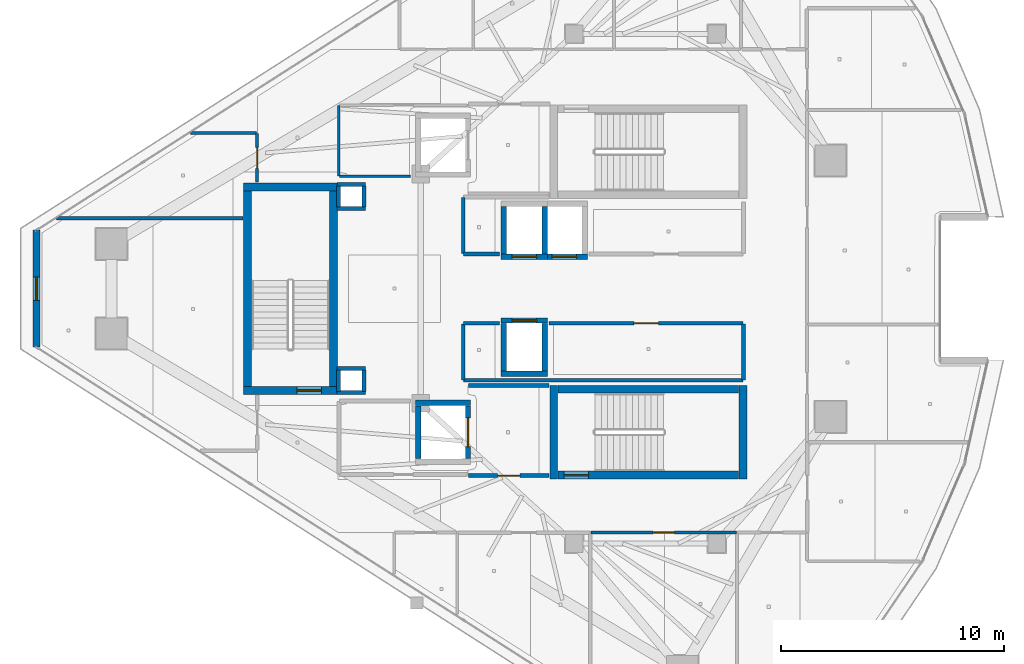
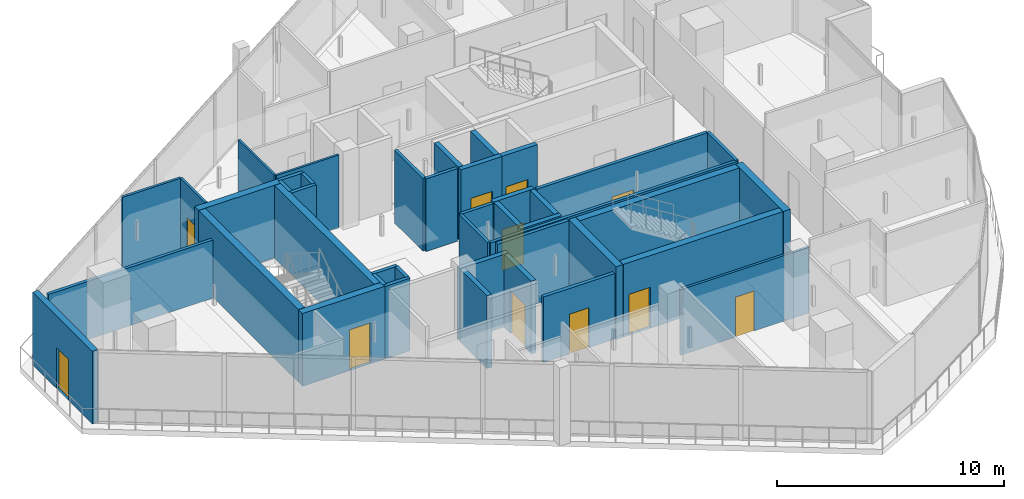
# One storey, part 16 of 24: 43 walls, 11 doors, 11 openings.
"""IFC4 building model written with IfcOpenShell, lengths in metres."""

from ifc_helpers import new_model, si_unit, direction, frame, frame_2d, origin, place, context, subcontext, project, spatial, rectangle, extrude, material, layer, layer_set, type_object, element, fill, save


model = new_model("IFC4")

# Units and contexts
model_context = context("Model", 3, precision=1e-05, world=origin(), true_north=direction((0.0, 1.0)))
body_context = subcontext(model_context, "Body", "Model", "MODEL_VIEW")
ifc_project = project(units=[si_unit("LENGTHUNIT", "METRE"), si_unit("AREAUNIT", "SQUARE_METRE"), si_unit("VOLUMEUNIT", "CUBIC_METRE"), si_unit("PLANEANGLEUNIT", "RADIAN"), si_unit("MASSUNIT", "GRAM", prefix="KILO")], contexts=[model_context])

# Site, building, storey
site_placement = place(None, origin())
site = spatial("IfcSite", under=ifc_project, at=site_placement, CompositionType="ELEMENT")
building_placement = place(site_placement, origin())
building = spatial("IfcBuilding", under=site, at=building_placement, Name="Qorvath Tower", CompositionType="ELEMENT")
storey_placement = place(building_placement, frame((0.0, 0.0, 318.60009765625)))
storey = spatial("IfcBuildingStorey", under=building, at=storey_placement, Name="L74", CompositionType="ELEMENT", Elevation=318.60009765625)

# Walls
ifc_material_1 = material(Name="Gypsum shaftliner on steel studs", Category="steel")
ifc_layer_1 = layer(ifc_material_1, 0.179931640625)
ifc_layer_set_1 = layer_set([ifc_layer_1], Name="FW-LOBBY")
wall_type_1 = type_object("IfcWallType", Name="FW-LOBBY", PredefinedType="PARTITIONING", material=ifc_layer_set_1)
for number, where, z_axis, x_axis, name in (
    (1, (-32.989990234375, 3.594970703125, 0.0), (0.0, 0.0, 1.0), (-1.0, 0.0, 0.0), "MEP Riser Shaft Enclosure Wall N-L74-S"),
    (2, (-34.260009765625, 4.675048828125, 0.0), (0.0, 0.0, 1.0), (1.0, 0.0, 0.0), "MEP Riser Shaft Enclosure Wall N-L74-N"),
):
    element("IfcWall", number, at=place(storey_placement, frame(where, z_axis=z_axis, x_axis=x_axis)), inside=storey, type_object=wall_type_1, Name=name, PredefinedType="PARTITIONING", context=body_context, shape_type="SweptSolid", body=[
        extrude(rectangle(XDim=1.27001953125, YDim=0.179931640625, at=frame_2d((0.635009765625, 0.0))), origin(), (0.0, 0.0, 1.0), 3.909912109375),
    ])
for number, where, z_axis, x_axis, name in (
    (3, (-34.205078125, 3.659912109375, 0.0), (0.0, 0.0, 1.0), (0.0, 1.0, 0.0), "MEP Riser Shaft Enclosure Wall N-L74-W"),
    (4, (-33.044921875, 4.610107421875, 0.0), (0.0, 0.0, 1.0), (0.0, -1.0, 0.0), "MEP Riser Shaft Enclosure Wall N-L74-E"),
):
    element("IfcWall", number, at=place(storey_placement, frame(where, z_axis=z_axis, x_axis=x_axis)), inside=storey, type_object=wall_type_1, Name=name, PredefinedType="PARTITIONING", context=body_context, shape_type="SweptSolid", body=[
        extrude(rectangle(XDim=0.9501953125, YDim=0.179931640625, at=frame_2d((0.47509765625, 0.0))), origin(), (0.0, 0.0, 1.0), 3.909912109375),
    ])
for number, where, z_axis, x_axis, name in (
    (5, (-32.989990234375, -4.675048828125, 0.0), (0.0, 0.0, 1.0), (-1.0, 0.0, 0.0), "MEP Riser Shaft Enclosure Wall S-L74-S"),
    (6, (-34.260009765625, -3.594970703125, 0.0), (0.0, 0.0, 1.0), (1.0, 0.0, 0.0), "MEP Riser Shaft Enclosure Wall S-L74-N"),
):
    element("IfcWall", number, at=place(storey_placement, frame(where, z_axis=z_axis, x_axis=x_axis)), inside=storey, type_object=wall_type_1, Name=name, PredefinedType="PARTITIONING", context=body_context, shape_type="SweptSolid", body=[
        extrude(rectangle(XDim=1.27001953125, YDim=0.179931640625, at=frame_2d((0.635009765625, 0.0))), origin(), (0.0, 0.0, 1.0), 3.909912109375),
    ])
for number, where, z_axis, x_axis, name in (
    (7, (-34.205078125, -4.610107421875, 0.0), (0.0, 0.0, 1.0), (0.0, 1.0, 0.0), "MEP Riser Shaft Enclosure Wall S-L74-W"),
    (8, (-33.044921875, -3.659912109375, 0.0), (0.0, 0.0, 1.0), (0.0, -1.0, 0.0), "MEP Riser Shaft Enclosure Wall S-L74-E"),
):
    element("IfcWall", number, at=place(storey_placement, frame(where, z_axis=z_axis, x_axis=x_axis)), inside=storey, type_object=wall_type_1, Name=name, PredefinedType="PARTITIONING", context=body_context, shape_type="SweptSolid", body=[
        extrude(rectangle(XDim=0.9501953125, YDim=0.179931640625, at=frame_2d((0.47509765625, 0.0))), origin(), (0.0, 0.0, 1.0), 3.909912109375),
    ])

# Wall, opening, door
wall_1_placement = place(storey_placement, frame((-28.35498046875, -8.39990234375, 0.0), z_axis=(0.0, 0.0, 1.0), x_axis=(1.0, 0.0, 0.0)))
wall_1 = element("IfcWall", 9, at=wall_1_placement, inside=storey, type_object=wall_type_1, Name="Interior Partition IW-T1-L74-003", PredefinedType="PARTITIONING", context=body_context, shape_type="SweptSolid", body=[
    extrude(rectangle(XDim=3.6220703125, YDim=0.179931640625, at=frame_2d((1.81103515625, 0.0))), origin(), (0.0, 0.0, 1.0), 3.52880859375),
])
opening_1_placement = place(wall_1_placement, frame((1.31103515625, 0.0, 0.0)))
opening_1 = element("IfcOpeningElement", 10, at=opening_1_placement, cuts=wall_1, Name="Opening D-T1-L74-02", PredefinedType="OPENING", context=body_context, shape_type="SweptSolid", body=[
    extrude(rectangle(XDim=1.0, YDim=2.14990234375, at=frame_2d((0.5, 1.074951171875))), frame((0.0, 0.10009765625, 0.0), z_axis=(0.0, -1.0, 0.0), x_axis=(1.0, 0.0, 0.0)), (0.0, 0.0, 1.0), 0.199951171875),
])
ifc_material_2 = material(Name="Painted galvanised hollow metal", Category="steel")
door_type_1 = type_object("IfcDoorType", Name="FD-60", OperationType="NOTDEFINED", PredefinedType="DOOR", material=ifc_material_2)
door_1_placement = place(opening_1_placement, origin())
door_1 = element("IfcDoor", 11, at=door_1_placement, inside=storey, type_object=door_type_1, Name="Lobby Fire Service Elevator South Door D-T1-L74-02", OperationType="SINGLE_SWING_RIGHT", OverallHeight=2.14990234375, OverallWidth=1.0, PredefinedType="DOOR", context=body_context, shape_type="SweptSolid", body=[
    extrude(rectangle(XDim=1.0, YDim=2.14990234375, at=frame_2d((0.5, 1.074951171875))), frame((0.0, 0.02490234375, 0.0), z_axis=(0.0, -1.0, 0.0), x_axis=(1.0, 0.0, 0.0)), (0.0, 0.0, 1.0), 0.050048828125),
])
fill(opening_1, door_1)

# Walls
wall_2_placement = place(storey_placement, frame((-24.73291015625, -4.35009765625, 0.0), z_axis=(0.0, 0.0, 1.0), x_axis=(-1.0, 0.0, 0.0)))
element("IfcWall", 12, at=wall_2_placement, inside=storey, type_object=wall_type_1, Name="Interior Partition IW-T1-L74-004", PredefinedType="PARTITIONING", context=body_context, shape_type="SweptSolid", body=[
    extrude(rectangle(XDim=3.6220703125, YDim=0.179931640625, at=frame_2d((1.81103515625, 0.0))), origin(), (0.0, 0.0, 1.0), 3.909912109375),
])
ifc_material_3 = material(Name="Double acoustic gypsum board on steel studs", Category="steel")
ifc_layer_2 = layer(ifc_material_3, 0.159912109375)
ifc_layer_set_2 = layer_set([ifc_layer_2], Name="IW-ACOUSTIC-160")
wall_type_2 = type_object("IfcWallType", Name="IW-ACOUSTIC-160", PredefinedType="PARTITIONING", material=ifc_layer_set_2)
wall_3_placement = place(storey_placement, frame((-28.60009765625, 4.09521484375, 0.0), z_axis=(0.0, 0.0, 1.0), x_axis=(0.0, -1.0, 0.0)))
element("IfcWall", 13, at=wall_3_placement, inside=storey, type_object=wall_type_2, Name="Interior Partition IW-T1-L74-008", PredefinedType="PARTITIONING", context=body_context, shape_type="SweptSolid", body=[
    extrude(rectangle(XDim=2.510009765625, YDim=0.159912109375, at=frame_2d((1.2548828125, 0.0))), origin(), (0.0, 0.0, 1.0), 3.909912109375),
])
wall_4_placement = place(storey_placement, frame((-28.5751953125, 1.56005859375, 0.0), z_axis=(0.0, 0.0, 1.0), x_axis=(1.0, 0.0, 0.0)))
element("IfcWall", 14, at=wall_4_placement, inside=storey, type_object=wall_type_2, Name="Interior Partition IW-T1-L74-009", PredefinedType="PARTITIONING", context=body_context, shape_type="SweptSolid", body=[
    extrude(rectangle(XDim=1.609130859375, YDim=0.159912109375, at=frame_2d((0.8046875, 0.0))), origin(), (0.0, 0.0, 1.0), 3.909912109375),
])
wall_5_placement = place(storey_placement, frame((-28.60009765625, -1.585205078125, 0.0), z_axis=(0.0, 0.0, 1.0), x_axis=(0.0, -1.0, 0.0)))
element("IfcWall", 15, at=wall_5_placement, inside=storey, type_object=wall_type_2, Name="Interior Partition IW-T1-L74-013", PredefinedType="PARTITIONING", context=body_context, shape_type="SweptSolid", body=[
    extrude(rectangle(XDim=2.510009765625, YDim=0.159912109375, at=frame_2d((1.2548828125, 0.0))), origin(), (0.0, 0.0, 1.0), 3.909912109375),
])
wall_6_placement = place(storey_placement, frame((-28.5751953125, -4.1201171875, 0.0), z_axis=(0.0, 0.0, 1.0), x_axis=(1.0, 0.0, 0.0)))
element("IfcWall", 16, at=wall_6_placement, inside=storey, type_object=wall_type_2, Name="Interior Partition IW-T1-L74-014", PredefinedType="PARTITIONING", context=body_context, shape_type="SweptSolid", body=[
    extrude(rectangle(XDim=12.55029296875, YDim=0.159912109375, at=frame_2d((6.275146484375, 0.0))), origin(), (0.0, 0.0, 1.0), 3.909912109375),
])
wall_7_placement = place(storey_placement, frame((-16.0, -4.09521484375, 0.0), z_axis=(0.0, 0.0, 1.0), x_axis=(0.0, 1.0, 0.0)))
element("IfcWall", 17, at=wall_7_placement, inside=storey, type_object=wall_type_2, Name="Interior Partition IW-T1-L74-015", PredefinedType="PARTITIONING", context=body_context, shape_type="SweptSolid", body=[
    extrude(rectangle(XDim=2.510009765625, YDim=0.159912109375, at=frame_2d((1.2548828125, 0.0))), origin(), (0.0, 0.0, 1.0), 3.909912109375),
])

# Wall, opening, door
wall_8_placement = place(storey_placement, frame((-16.02490234375, -1.56005859375, 0.0), z_axis=(0.0, 0.0, 1.0), x_axis=(-1.0, 0.0, 0.0)))
wall_8 = element("IfcWall", 18, at=wall_8_placement, inside=storey, type_object=wall_type_2, Name="Interior Partition IW-T1-L74-016", PredefinedType="PARTITIONING", context=body_context, shape_type="SweptSolid", body=[
    extrude(rectangle(XDim=8.708984375, YDim=0.159912109375, at=frame_2d((4.3544921875, 0.0))), origin(), (0.0, 0.0, 1.0), 3.909912109375),
])
opening_2_placement = place(wall_8_placement, frame((3.804443359375, 0.0, 0.0)))
opening_2 = element("IfcOpeningElement", 19, at=opening_2_placement, cuts=wall_8, Name="Opening D-T1-L74-05", PredefinedType="OPENING", context=body_context, shape_type="SweptSolid", body=[
    extrude(rectangle(XDim=1.10009765625, YDim=2.14990234375, at=frame_2d((0.550048828125, 1.074951171875))), frame((0.0, 0.08984375, 0.0), z_axis=(0.0, -1.0, 0.0), x_axis=(1.0, 0.0, 0.0)), (0.0, 0.0, 1.0), 0.179931640625),
])
ifc_material_4 = material(Name="Anodised aluminium acoustic framed glass", Category="aluminium")
door_type_2 = type_object("IfcDoorType", Name="D-03", OperationType="NOTDEFINED", PredefinedType="DOOR", material=ifc_material_4)
door_2_placement = place(opening_2_placement, origin())
door_2 = element("IfcDoor", 20, at=door_2_placement, inside=storey, type_object=door_type_2, Name="L74-RCS South Executive Boardroom Door D-T1-L74-05", OperationType="SINGLE_SWING_LEFT", OverallHeight=2.14990234375, OverallWidth=1.10009765625, PredefinedType="DOOR", context=body_context, shape_type="SweptSolid", body=[
    extrude(rectangle(XDim=1.10009765625, YDim=2.14990234375, at=frame_2d((0.550048828125, 1.074951171875))), frame((0.0, 0.02490234375, 0.0), z_axis=(0.0, -1.0, 0.0), x_axis=(1.0, 0.0, 0.0)), (0.0, 0.0, 1.0), 0.050048828125),
])
fill(opening_2, door_2)

# Walls
wall_9_placement = place(storey_placement, frame((-26.966064453125, -1.56005859375, 0.0), z_axis=(0.0, 0.0, 1.0), x_axis=(-1.0, 0.0, 0.0)))
element("IfcWall", 21, at=wall_9_placement, inside=storey, type_object=wall_type_2, Name="Interior Partition IW-T1-L74-017", PredefinedType="PARTITIONING", context=body_context, shape_type="SweptSolid", body=[
    extrude(rectangle(XDim=1.609130859375, YDim=0.159912109375, at=frame_2d((0.8046875, 0.0))), origin(), (0.0, 0.0, 1.0), 3.909912109375),
])
wall_10_placement = place(storey_placement, frame((-38.492919921875, 3.15771484375, 0.0), z_axis=(0.0, 0.0, 1.0), x_axis=(-1.0, 0.0, 0.0)))
element("IfcWall", 22, at=wall_10_placement, inside=storey, type_object=wall_type_2, Name="Interior Partition IW-T1-L74-049", PredefinedType="PARTITIONING", context=body_context, shape_type="SweptSolid", body=[
    extrude(rectangle(XDim=8.367431640625, YDim=0.159912109375, at=frame_2d((4.18359375, 0.0))), origin(), (0.0, 0.0, 1.0), 3.1298828125),
])

# Wall, opening, door
ifc_material_5 = material(Name="Gypsum board on metal studs with mineral wool", Category="gypsum")
ifc_layer_3 = layer(ifc_material_5, 0.125)
ifc_layer_set_3 = layer_set([ifc_layer_3], Name="IW-PART-125")
wall_type_3 = type_object("IfcWallType", Name="IW-PART-125", PredefinedType="PARTITIONING", material=ifc_layer_set_3)
wall_11_placement = place(storey_placement, frame((-16.321533203125, -10.9580078125, 0.0), z_axis=(0.0, 0.0, 1.0), x_axis=(-1.0, 0.0, 0.0)))
wall_11 = element("IfcWall", 23, at=wall_11_placement, inside=storey, type_object=wall_type_3, Name="Interior Partition IW-T1-L74-036", PredefinedType="PARTITIONING", context=body_context, shape_type="SweptSolid", body=[
    extrude(rectangle(XDim=6.5224609375, YDim=0.125, at=frame_2d((3.26123046875, 0.0))), origin(), (0.0, 0.0, 1.0), 3.52880859375),
])
opening_3_placement = place(wall_11_placement, frame((2.7861328125, 0.0, 0.0)))
opening_3 = element("IfcOpeningElement", 24, at=opening_3_placement, cuts=wall_11, Name="Opening D-T1-L74-13", PredefinedType="OPENING", context=body_context, shape_type="SweptSolid", body=[
    extrude(rectangle(XDim=0.949951171875, YDim=2.14990234375, at=frame_2d((0.47509765625, 1.074951171875))), frame((0.0, 0.072509765625, 0.0), z_axis=(0.0, -1.0, 0.0), x_axis=(1.0, 0.0, 0.0)), (0.0, 0.0, 1.0), 0.14501953125),
])
ifc_material_6 = material(Name="Solid-core American white oak veneer", Category="wood")
door_type_3 = type_object("IfcDoorType", Name="D-01", OperationType="NOTDEFINED", PredefinedType="DOOR", material=ifc_material_6)
door_3_placement = place(opening_3_placement, origin())
door_3 = element("IfcDoor", 25, at=door_3_placement, inside=storey, type_object=door_type_3, Name="L74-07 Open Workplace Studio Door D-T1-L74-13", OperationType="SINGLE_SWING_LEFT", OverallHeight=2.14990234375, OverallWidth=0.949951171875, PredefinedType="DOOR", context=body_context, shape_type="SweptSolid", body=[
    extrude(rectangle(XDim=0.949951171875, YDim=2.14990234375, at=frame_2d((0.47509765625, 1.074951171875))), frame((0.0, 0.02490234375, 0.0), z_axis=(0.0, -1.0, 0.0), x_axis=(1.0, 0.0, 0.0)), (0.0, 0.0, 1.0), 0.050048828125),
])
fill(opening_3, door_3)

wall_12_placement = place(storey_placement, frame((-37.85791015625, 4.783203125, 0.0), z_axis=(0.0, 0.0, 1.0), x_axis=(0.0, 1.0, 0.0)))
wall_12 = element("IfcWall", 26, at=wall_12_placement, inside=storey, type_object=wall_type_3, Name="Interior Partition IW-T1-L74-051", PredefinedType="PARTITIONING", context=body_context, shape_type="SweptSolid", body=[
    extrude(rectangle(XDim=2.187255859375, YDim=0.125, at=frame_2d((1.09375, 0.0))), origin(), (0.0, 0.0, 1.0), 3.909912109375),
])
opening_4_placement = place(wall_12_placement, frame((0.61865234375, 0.0, 0.0)))
opening_4 = element("IfcOpeningElement", 27, at=opening_4_placement, cuts=wall_12, Name="Opening D-T1-L74-20", PredefinedType="OPENING", context=body_context, shape_type="SweptSolid", body=[
    extrude(rectangle(XDim=0.949951171875, YDim=2.14990234375, at=frame_2d((0.47509765625, 1.074951171875))), frame((0.0, 0.072509765625, 0.0), z_axis=(0.0, -1.0, 0.0), x_axis=(1.0, 0.0, 0.0)), (0.0, 0.0, 1.0), 0.14501953125),
])
door_4_placement = place(opening_4_placement, origin())
door_4 = element("IfcDoor", 28, at=door_4_placement, inside=storey, type_object=door_type_3, Name="L74-14 Engineering Documentation Suite Door D-T1-L74-20", OperationType="SINGLE_SWING_RIGHT", OverallHeight=2.14990234375, OverallWidth=0.949951171875, PredefinedType="DOOR", context=body_context, shape_type="SweptSolid", body=[
    extrude(rectangle(XDim=0.949951171875, YDim=2.14990234375, at=frame_2d((0.47509765625, 1.074951171875))), frame((0.0, 0.02490234375, 0.0), z_axis=(0.0, -1.0, 0.0), x_axis=(1.0, 0.0, 0.0)), (0.0, 0.0, 1.0), 0.050048828125),
])
fill(opening_4, door_4)

# Walls
wall_13_placement = place(storey_placement, frame((-37.8828125, 6.995361328125, 0.0), z_axis=(0.0, 0.0, 1.0), x_axis=(-1.0, 0.0, 0.0)))
element("IfcWall", 29, at=wall_13_placement, inside=storey, type_object=wall_type_3, Name="Interior Partition IW-T1-L74-052", PredefinedType="PARTITIONING", context=body_context, shape_type="SweptSolid", body=[
    extrude(rectangle(XDim=2.972900390625, YDim=0.125, at=frame_2d((1.486328125, 0.0))), origin(), (0.0, 0.0, 1.0), 3.909912109375),
])
ifc_material_7 = material(Name="Moisture-resistant cement board on metal studs", Category="gypsum")
ifc_layer_4 = layer(ifc_material_7, 0.110107421875)
ifc_layer_set_4 = layer_set([ifc_layer_4], Name="IW-WC-110")
wall_type_4 = type_object("IfcWallType", Name="IW-WC-110", PredefinedType="PARTITIONING", material=ifc_layer_set_4)
wall_14_placement = place(storey_placement, frame((-34.179931640625, 8.22509765625, 0.0), z_axis=(0.0, 0.0, 1.0), x_axis=(0.0, -1.0, 0.0)))
element("IfcWall", 30, at=wall_14_placement, inside=storey, type_object=wall_type_4, Name="Interior Partition IW-T1-L74-005", PredefinedType="PARTITIONING", context=body_context, shape_type="SweptSolid", body=[
    extrude(rectangle(XDim=3.150146484375, YDim=0.110107421875, at=frame_2d((1.5751953125, 0.0))), origin(), (0.0, 0.0, 1.0), 3.909912109375),
])
wall_15_placement = place(storey_placement, frame((-34.15478515625, 5.050048828125, 0.0), z_axis=(0.0, 0.0, 1.0), x_axis=(1.0, 0.0, 0.0)))
element("IfcWall", 31, at=wall_15_placement, inside=storey, type_object=wall_type_4, Name="Interior Partition IW-T1-L74-006", PredefinedType="PARTITIONING", context=body_context, shape_type="SweptSolid", body=[
    extrude(rectangle(XDim=3.189697265625, YDim=0.110107421875, at=frame_2d((1.5947265625, 0.0))), origin(), (0.0, 0.0, 1.0), 3.909912109375),
])
ifc_material_8 = material(Name="Concrete C60/75", Category="concrete")
ifc_layer_5 = layer(ifc_material_8, 0.260009765625)
ifc_layer_set_5 = layer_set([ifc_layer_5], Name="SW-SHAFT")
wall_type_5 = type_object("IfcWallType", Name="SW-SHAFT", PredefinedType="SHEAR", material=ifc_layer_set_5)
wall_16_placement = place(storey_placement, frame((-30.739990234375, -5.1298828125, 0.0), z_axis=(0.0, 0.0, 1.0), x_axis=(1.0, 0.0, 0.0)))
element("IfcWall", 32, at=wall_16_placement, inside=storey, type_object=wall_type_5, Name="Hoistway Wall FSAE-2 L74 N", PredefinedType="SHEAR", context=body_context, shape_type="SweptSolid", body=[
    extrude(rectangle(XDim=2.47998046875, YDim=0.239990234375, at=frame_2d((1.239990234375, 0.0))), origin(), (0.0, 0.0, 1.0), 3.909912109375),
])
wall_17_placement = place(storey_placement, frame((-30.6201171875, -7.637939453125, 0.0), z_axis=(0.0, 0.0, 1.0), x_axis=(0.0, 1.0, 0.0)))
element("IfcWall", 33, at=wall_17_placement, inside=storey, type_object=wall_type_5, Name="Hoistway Wall FSAE-2 L74 W", PredefinedType="SHEAR", context=body_context, shape_type="SweptSolid", body=[
    extrude(rectangle(XDim=2.3759765625, YDim=0.239990234375, at=frame_2d((1.18798828125, 0.0))), origin(), (0.0, 0.0, 1.0), 3.909912109375),
])

# Wall, opening, door
wall_18_placement = place(storey_placement, frame((-28.3798828125, -5.261962890625, 0.0), z_axis=(0.0, 0.0, 1.0), x_axis=(0.0, -1.0, 0.0)))
wall_18 = element("IfcWall", 34, at=wall_18_placement, inside=storey, type_object=wall_type_5, Name="Hoistway Wall FSAE-2 L74 E", PredefinedType="SHEAR", context=body_context, shape_type="SweptSolid", body=[
    extrude(rectangle(XDim=2.3759765625, YDim=0.239990234375, at=frame_2d((1.18798828125, 0.0))), origin(), (0.0, 0.0, 1.0), 3.909912109375),
])
opening_5_placement = place(wall_18_placement, frame((0.5380859375, 0.0, 0.0)))
opening_5 = element("IfcOpeningElement", 35, at=opening_5_placement, cuts=wall_18, Name="Opening LD-FSAE-2-L74", PredefinedType="OPENING", context=body_context, shape_type="SweptSolid", body=[
    extrude(rectangle(XDim=1.300048828125, YDim=2.300048828125, at=frame_2d((0.64990234375, 1.14990234375))), frame((0.0, 0.1298828125, 0.0), z_axis=(0.0, -1.0, 0.0), x_axis=(1.0, 0.0, 0.0)), (0.0, 0.0, 1.0), 0.260009765625),
])
ifc_material_9 = material(Name="Brushed stainless steel AISI 316", Category="steel")
door_type_4 = type_object("IfcDoorType", Name="LD-02", OperationType="NOTDEFINED", PredefinedType="DOOR", material=ifc_material_9)
door_5_placement = place(opening_5_placement, origin())
door_5 = element("IfcDoor", 36, at=door_5_placement, inside=storey, type_object=door_type_4, Name="Elevator Landing Sliding Door LD-FSAE-2-L74", OperationType="DOUBLE_DOOR_SLIDING", OverallHeight=2.300048828125, OverallWidth=1.300048828125, PredefinedType="DOOR", context=body_context, shape_type="SweptSolid", body=[
    extrude(rectangle(XDim=1.300048828125, YDim=2.300048828125, at=frame_2d((0.64990234375, 1.14990234375))), frame((0.0, 0.02490234375, 0.0), z_axis=(0.0, -1.0, 0.0), x_axis=(1.0, 0.0, 0.0)), (0.0, 0.0, 1.0), 0.050048828125),
])
fill(opening_5, door_5)

wall_19_placement = place(storey_placement, frame((-24.81005859375, 1.429931640625, 0.0), z_axis=(0.0, 0.0, 1.0), x_axis=(-1.0, 0.0, 0.0)))
wall_19 = element("IfcWall", 37, at=wall_19_placement, inside=storey, type_object=wall_type_5, Name="Hoistway Wall PH-1 L74 S", PredefinedType="SHEAR", context=body_context, shape_type="SweptSolid", body=[
    extrude(rectangle(XDim=2.079833984375, YDim=0.239990234375, at=frame_2d((1.0400390625, 0.0))), origin(), (0.0, 0.0, 1.0), 3.909912109375),
])
opening_6_placement = place(wall_19_placement, frame((0.489990234375, 0.0, 0.0)))
opening_6 = element("IfcOpeningElement", 38, at=opening_6_placement, cuts=wall_19, Name="Opening LD-PH-1-L74", PredefinedType="OPENING", context=body_context, shape_type="SweptSolid", body=[
    extrude(rectangle(XDim=1.10009765625, YDim=2.199951171875, at=frame_2d((0.550048828125, 1.10009765625))), frame((0.0, 0.1298828125, 0.0), z_axis=(0.0, -1.0, 0.0), x_axis=(1.0, 0.0, 0.0)), (0.0, 0.0, 1.0), 0.260009765625),
])
ifc_material_10 = material(Name="Brushed stainless steel AISI 316", Category="steel")
door_type_5 = type_object("IfcDoorType", Name="LD-01", OperationType="NOTDEFINED", PredefinedType="DOOR", material=ifc_material_10)
door_6_placement = place(opening_6_placement, origin())
door_6 = element("IfcDoor", 39, at=door_6_placement, inside=storey, type_object=door_type_5, Name="Elevator Landing Sliding Door LD-PH-1-L74", OperationType="DOUBLE_DOOR_SLIDING", OverallHeight=2.199951171875, OverallWidth=1.10009765625, PredefinedType="DOOR", context=body_context, shape_type="SweptSolid", body=[
    extrude(rectangle(XDim=1.10009765625, YDim=2.199951171875, at=frame_2d((0.550048828125, 1.10009765625))), frame((0.0, 0.02490234375, 0.0), z_axis=(0.0, -1.0, 0.0), x_axis=(1.0, 0.0, 0.0)), (0.0, 0.0, 1.0), 0.050048828125),
])
fill(opening_6, door_6)

# Walls
for number, where, z_axis, x_axis, name in (
    (40, (-26.77001953125, 1.56201171875, 0.0), (0.0, 0.0, 1.0), (0.0, 1.0, 0.0), "Hoistway Wall PH-1 L74 W"),
    (41, (-24.929931640625, 3.68798828125, 0.0), (0.0, 0.0, 1.0), (0.0, -1.0, 0.0), "Hoistway Wall PH-1 L74 E"),
):
    element("IfcWall", number, at=place(storey_placement, frame(where, z_axis=z_axis, x_axis=x_axis)), inside=storey, type_object=wall_type_5, Name=name, PredefinedType="SHEAR", context=body_context, shape_type="SweptSolid", body=[
        extrude(rectangle(XDim=2.1259765625, YDim=0.239990234375, at=frame_2d((1.06298828125, 0.0))), origin(), (0.0, 0.0, 1.0), 3.909912109375),
    ])

# Wall, opening, door
wall_20_placement = place(storey_placement, frame((-23.010009765625, 1.429931640625, 0.0), z_axis=(0.0, 0.0, 1.0), x_axis=(-1.0, 0.0, 0.0)))
wall_20 = element("IfcWall", 42, at=wall_20_placement, inside=storey, type_object=wall_type_5, Name="Hoistway Wall PH-2 L74 S", PredefinedType="SHEAR", context=body_context, shape_type="SweptSolid", body=[
    extrude(rectangle(XDim=1.800048828125, YDim=0.239990234375, at=frame_2d((0.89990234375, 0.0))), origin(), (0.0, 0.0, 1.0), 3.909912109375),
])
opening_7_placement = place(wall_20_placement, frame((0.489990234375, 0.0, 0.0)))
opening_7 = element("IfcOpeningElement", 43, at=opening_7_placement, cuts=wall_20, Name="Opening LD-PH-2-L74", PredefinedType="OPENING", context=body_context, shape_type="SweptSolid", body=[
    extrude(rectangle(XDim=1.10009765625, YDim=2.199951171875, at=frame_2d((0.550048828125, 1.10009765625))), frame((0.0, 0.1298828125, 0.0), z_axis=(0.0, -1.0, 0.0), x_axis=(1.0, 0.0, 0.0)), (0.0, 0.0, 1.0), 0.260009765625),
])
door_7_placement = place(opening_7_placement, origin())
door_7 = element("IfcDoor", 44, at=door_7_placement, inside=storey, type_object=door_type_5, Name="Elevator Landing Sliding Door LD-PH-2-L74", OperationType="DOUBLE_DOOR_SLIDING", OverallHeight=2.199951171875, OverallWidth=1.10009765625, PredefinedType="DOOR", context=body_context, shape_type="SweptSolid", body=[
    extrude(rectangle(XDim=1.10009765625, YDim=2.199951171875, at=frame_2d((0.550048828125, 1.10009765625))), frame((0.0, 0.02490234375, 0.0), z_axis=(0.0, -1.0, 0.0), x_axis=(1.0, 0.0, 0.0)), (0.0, 0.0, 1.0), 0.050048828125),
])
fill(opening_7, door_7)

# Wall
wall_21_placement = place(storey_placement, frame((-24.81005859375, -3.820068359375, 0.0), z_axis=(0.0, 0.0, 1.0), x_axis=(-1.0, 0.0, 0.0)))
element("IfcWall", 45, at=wall_21_placement, inside=storey, type_object=wall_type_5, Name="Hoistway Wall PH-3 L74 S", PredefinedType="SHEAR", context=body_context, shape_type="SweptSolid", body=[
    extrude(rectangle(XDim=2.079833984375, YDim=0.239990234375, at=frame_2d((1.0400390625, 0.0))), origin(), (0.0, 0.0, 1.0), 3.909912109375),
])

# Wall, opening, door
wall_22_placement = place(storey_placement, frame((-26.889892578125, -1.429931640625, 0.0), z_axis=(0.0, 0.0, 1.0), x_axis=(1.0, 0.0, 0.0)))
wall_22 = element("IfcWall", 46, at=wall_22_placement, inside=storey, type_object=wall_type_5, Name="Hoistway Wall PH-3 L74 N", PredefinedType="SHEAR", context=body_context, shape_type="SweptSolid", body=[
    extrude(rectangle(XDim=2.079833984375, YDim=0.239990234375, at=frame_2d((1.0400390625, 0.0))), origin(), (0.0, 0.0, 1.0), 3.909912109375),
])
opening_8_placement = place(wall_22_placement, frame((0.48974609375, 0.0, 0.0)))
opening_8 = element("IfcOpeningElement", 47, at=opening_8_placement, cuts=wall_22, Name="Opening LD-PH-3-L74", PredefinedType="OPENING", context=body_context, shape_type="SweptSolid", body=[
    extrude(rectangle(XDim=1.10009765625, YDim=2.199951171875, at=frame_2d((0.550048828125, 1.10009765625))), frame((0.0, 0.1298828125, 0.0), z_axis=(0.0, -1.0, 0.0), x_axis=(1.0, 0.0, 0.0)), (0.0, 0.0, 1.0), 0.260009765625),
])
door_8_placement = place(opening_8_placement, origin())
door_8 = element("IfcDoor", 48, at=door_8_placement, inside=storey, type_object=door_type_5, Name="Elevator Landing Sliding Door LD-PH-3-L74", OperationType="DOUBLE_DOOR_SLIDING", OverallHeight=2.199951171875, OverallWidth=1.10009765625, PredefinedType="DOOR", context=body_context, shape_type="SweptSolid", body=[
    extrude(rectangle(XDim=1.10009765625, YDim=2.199951171875, at=frame_2d((0.550048828125, 1.10009765625))), frame((0.0, 0.02490234375, 0.0), z_axis=(0.0, -1.0, 0.0), x_axis=(1.0, 0.0, 0.0)), (0.0, 0.0, 1.0), 0.050048828125),
])
fill(opening_8, door_8)

# Walls
for number, where, z_axis, x_axis, name in (
    (49, (-26.77001953125, -3.68798828125, 0.0), (0.0, 0.0, 1.0), (0.0, 1.0, 0.0), "Hoistway Wall PH-3 L74 W"),
    (50, (-24.929931640625, -1.56201171875, 0.0), (0.0, 0.0, 1.0), (0.0, -1.0, 0.0), "Hoistway Wall PH-3 L74 E"),
):
    element("IfcWall", number, at=place(storey_placement, frame(where, z_axis=z_axis, x_axis=x_axis)), inside=storey, type_object=wall_type_5, Name=name, PredefinedType="SHEAR", context=body_context, shape_type="SweptSolid", body=[
        extrude(rectangle(XDim=2.1259765625, YDim=0.239990234375, at=frame_2d((1.06298828125, 0.0))), origin(), (0.0, 0.0, 1.0), 3.909912109375),
    ])
ifc_material_11 = material(Name="Concrete C60/75", Category="concrete")
ifc_layer_6 = layer(ifc_material_11, 0.35009765625)
ifc_layer_set_6 = layer_set([ifc_layer_6], Name="SW-STAIR")
wall_type_6 = type_object("IfcWallType", Name="SW-STAIR", PredefinedType="SHEAR", material=ifc_layer_set_6)
for number, where, z_axis, x_axis, name in (
    (51, (-24.52490234375, -4.340087890625, 0.0), (0.0, 0.0, 1.0), (0.0, -1.0, 0.0), "Stair TS2 Shear Wall L74 NEAR"),
    (52, (-16.02490234375, -8.550048828125, 0.0), (0.0, 0.0, 1.0), (0.0, 1.0, 0.0), "Stair TS2 Shear Wall L74 FAR"),
):
    element("IfcWall", number, at=place(storey_placement, frame(where, z_axis=z_axis, x_axis=x_axis)), inside=storey, type_object=wall_type_6, Name=name, PredefinedType="SHEAR", context=body_context, shape_type="SweptSolid", body=[
        extrude(rectangle(XDim=4.2099609375, YDim=0.35009765625, at=frame_2d((2.10498046875, 0.0))), origin(), (0.0, 0.0, 1.0), 3.909912109375),
    ])

# Wall, opening, door
wall_23_placement = place(storey_placement, frame((-24.3349609375, -8.375, 0.0), z_axis=(0.0, 0.0, 1.0), x_axis=(1.0, 0.0, 0.0)))
wall_23 = element("IfcWall", 53, at=wall_23_placement, inside=storey, type_object=wall_type_6, Name="Stair TS2 Shear Wall L74 LEFT", PredefinedType="SHEAR", context=body_context, shape_type="SweptSolid", body=[
    extrude(rectangle(XDim=8.119873046875, YDim=0.35009765625, at=frame_2d((4.06005859375, 0.0))), origin(), (0.0, 0.0, 1.0), 3.909912109375),
])
opening_9_placement = place(wall_23_placement, frame((0.280029296875, 0.0, 0.0)))
opening_9 = element("IfcOpeningElement", 54, at=opening_9_placement, cuts=wall_23, Name="Opening D-TS2-L74", PredefinedType="OPENING", context=body_context, shape_type="SweptSolid", body=[
    extrude(rectangle(XDim=1.10009765625, YDim=2.199951171875, at=frame_2d((0.550048828125, 1.10009765625))), frame((0.0, 0.18505859375, 0.0), z_axis=(0.0, -1.0, 0.0), x_axis=(1.0, 0.0, 0.0)), (0.0, 0.0, 1.0), 0.3701171875),
])
ifc_material_12 = material(Name="Painted galvanised hollow metal", Category="steel")
door_type_6 = type_object("IfcDoorType", Name="FD-90", OperationType="NOTDEFINED", PredefinedType="DOOR", material=ifc_material_12)
door_9_placement = place(opening_9_placement, origin())
door_9 = element("IfcDoor", 55, at=door_9_placement, inside=storey, type_object=door_type_6, Name="Stair TS2 Fire Door L74", OperationType="SINGLE_SWING_LEFT", OverallHeight=2.199951171875, OverallWidth=1.10009765625, PredefinedType="DOOR", context=body_context, shape_type="SweptSolid", body=[
    extrude(rectangle(XDim=1.10009765625, YDim=2.199951171875, at=frame_2d((0.550048828125, 1.10009765625))), frame((0.0, 0.02490234375, 0.0), z_axis=(0.0, -1.0, 0.0), x_axis=(1.0, 0.0, 0.0)), (0.0, 0.0, 1.0), 0.050048828125),
])
fill(opening_9, door_9)

# Wall
wall_24_placement = place(storey_placement, frame((-16.215087890625, -4.514892578125, 0.0), z_axis=(0.0, 0.0, 1.0), x_axis=(-1.0, 0.0, 0.0)))
element("IfcWall", 56, at=wall_24_placement, inside=storey, type_object=wall_type_6, Name="Stair TS2 Shear Wall L74 RIGHT", PredefinedType="SHEAR", context=body_context, shape_type="SweptSolid", body=[
    extrude(rectangle(XDim=8.119873046875, YDim=0.35009765625, at=frame_2d((4.06005859375, 0.0))), origin(), (0.0, 0.0, 1.0), 3.909912109375),
])

# Wall, opening, door
wall_25_placement = place(storey_placement, frame((-38.4599609375, -4.574951171875, 0.0), z_axis=(0.0, 0.0, 1.0), x_axis=(1.0, 0.0, 0.0)))
wall_25 = element("IfcWall", 57, at=wall_25_placement, inside=storey, type_object=wall_type_6, Name="Stair TS3 Shear Wall L74 NEAR", PredefinedType="SHEAR", context=body_context, shape_type="SweptSolid", body=[
    extrude(rectangle(XDim=4.2099609375, YDim=0.35009765625, at=frame_2d((2.10498046875, 0.0))), origin(), (0.0, 0.0, 1.0), 3.909912109375),
])
opening_10_placement = place(wall_25_placement, frame((2.389892578125, 0.0, 0.0)))
opening_10 = element("IfcOpeningElement", 58, at=opening_10_placement, cuts=wall_25, Name="Opening D-TS3-L74", PredefinedType="OPENING", context=body_context, shape_type="SweptSolid", body=[
    extrude(rectangle(XDim=1.10009765625, YDim=2.199951171875, at=frame_2d((0.550048828125, 1.10009765625))), frame((0.0, 0.18505859375, 0.0), z_axis=(0.0, -1.0, 0.0), x_axis=(1.0, 0.0, 0.0)), (0.0, 0.0, 1.0), 0.3701171875),
])
door_10_placement = place(opening_10_placement, origin())
door_10 = element("IfcDoor", 59, at=door_10_placement, inside=storey, type_object=door_type_6, Name="Stair TS3 Fire Door L74", OperationType="SINGLE_SWING_LEFT", OverallHeight=2.199951171875, OverallWidth=1.10009765625, PredefinedType="DOOR", context=body_context, shape_type="SweptSolid", body=[
    extrude(rectangle(XDim=1.10009765625, YDim=2.199951171875, at=frame_2d((0.550048828125, 1.10009765625))), frame((0.0, 0.02490234375, 0.0), z_axis=(0.0, -1.0, 0.0), x_axis=(1.0, 0.0, 0.0)), (0.0, 0.0, 1.0), 0.050048828125),
])
fill(opening_10, door_10)

# Walls
wall_26_placement = place(storey_placement, frame((-34.25, 4.574951171875, 0.0), z_axis=(0.0, 0.0, 1.0), x_axis=(-1.0, 0.0, 0.0)))
element("IfcWall", 60, at=wall_26_placement, inside=storey, type_object=wall_type_6, Name="Stair TS3 Shear Wall L74 FAR", PredefinedType="SHEAR", context=body_context, shape_type="SweptSolid", body=[
    extrude(rectangle(XDim=4.2099609375, YDim=0.35009765625, at=frame_2d((2.10498046875, 0.0))), origin(), (0.0, 0.0, 1.0), 3.909912109375),
])
for number, where, z_axis, x_axis, name in (
    (61, (-34.425048828125, -4.385009765625, 0.0), (0.0, 0.0, 1.0), (0.0, 1.0, 0.0), "Stair TS3 Shear Wall L74 LEFT"),
    (62, (-38.284912109375, 4.385009765625, 0.0), (0.0, 0.0, 1.0), (0.0, -1.0, 0.0), "Stair TS3 Shear Wall L74 RIGHT"),
):
    element("IfcWall", number, at=place(storey_placement, frame(where, z_axis=z_axis, x_axis=x_axis)), inside=storey, type_object=wall_type_6, Name=name, PredefinedType="SHEAR", context=body_context, shape_type="SweptSolid", body=[
        extrude(rectangle(XDim=8.77001953125, YDim=0.35009765625, at=frame_2d((4.385009765625, 0.0))), origin(), (0.0, 0.0, 1.0), 3.909912109375),
    ])

# Wall, opening, door
ifc_material_13 = material(Name="Precast concrete C45/55", Category="concrete")
ifc_layer_7 = layer(ifc_material_13, 0.300048828125)
ifc_layer_set_7 = layer_set([ifc_layer_7], Name="WL-EW-LOG-300")
wall_type_7 = type_object("IfcWallType", Name="WL-EW-LOG-300", PredefinedType="SOLIDWALL", material=ifc_layer_set_7)
wall_27_placement = place(storey_placement, frame((-47.77001953125, -2.62744140625, 0.0), z_axis=(0.0, 0.0, 1.0), x_axis=(0.0, 1.0, 0.0)))
wall_27 = element("IfcWall", 63, at=wall_27_placement, inside=storey, type_object=wall_type_7, Name="Tower Precast Loggia Wall L74-1.1", PredefinedType="SOLIDWALL", context=body_context, shape_type="SweptSolid", body=[
    extrude(rectangle(XDim=5.2548828125, YDim=0.300048828125, at=frame_2d((2.62744140625, 0.0))), origin(), (0.0, 0.0, 1.0), 3.909912109375),
])
opening_11_placement = place(wall_27_placement, frame((2.102294921875, 0.0, 0.0)))
opening_11 = element("IfcOpeningElement", 64, at=opening_11_placement, cuts=wall_27, Name="Opening ED-L74-01", PredefinedType="OPENING", context=body_context, shape_type="SweptSolid", body=[
    extrude(rectangle(XDim=1.050048828125, YDim=2.199951171875, at=frame_2d((0.52490234375, 1.10009765625))), frame((0.0, 0.16015625, 0.0), z_axis=(0.0, -1.0, 0.0), x_axis=(1.0, 0.0, 0.0)), (0.0, 0.0, 1.0), 0.320068359375),
])
ifc_material_14 = material(Name="Thermally broken aluminium glazed door", Category="aluminium")
door_type_7 = type_object("IfcDoorType", Name="ED-LOG", OperationType="NOTDEFINED", PredefinedType="DOOR", material=ifc_material_14)
door_11_placement = place(opening_11_placement, origin())
door_11 = element("IfcDoor", 65, at=door_11_placement, inside=storey, type_object=door_type_7, Name="L74 Recessed Loggia Access Door 1", OperationType="SINGLE_SWING_RIGHT", OverallHeight=2.199951171875, OverallWidth=1.050048828125, PredefinedType="DOOR", context=body_context, shape_type="SweptSolid", body=[
    extrude(rectangle(XDim=1.050048828125, YDim=2.199951171875, at=frame_2d((0.52490234375, 1.10009765625))), frame((0.0, 0.02490234375, 0.0), z_axis=(0.0, -1.0, 0.0), x_axis=(1.0, 0.0, 0.0)), (0.0, 0.0, 1.0), 0.050048828125),
])
fill(opening_11, door_11)

save(model, "model.ifc")
